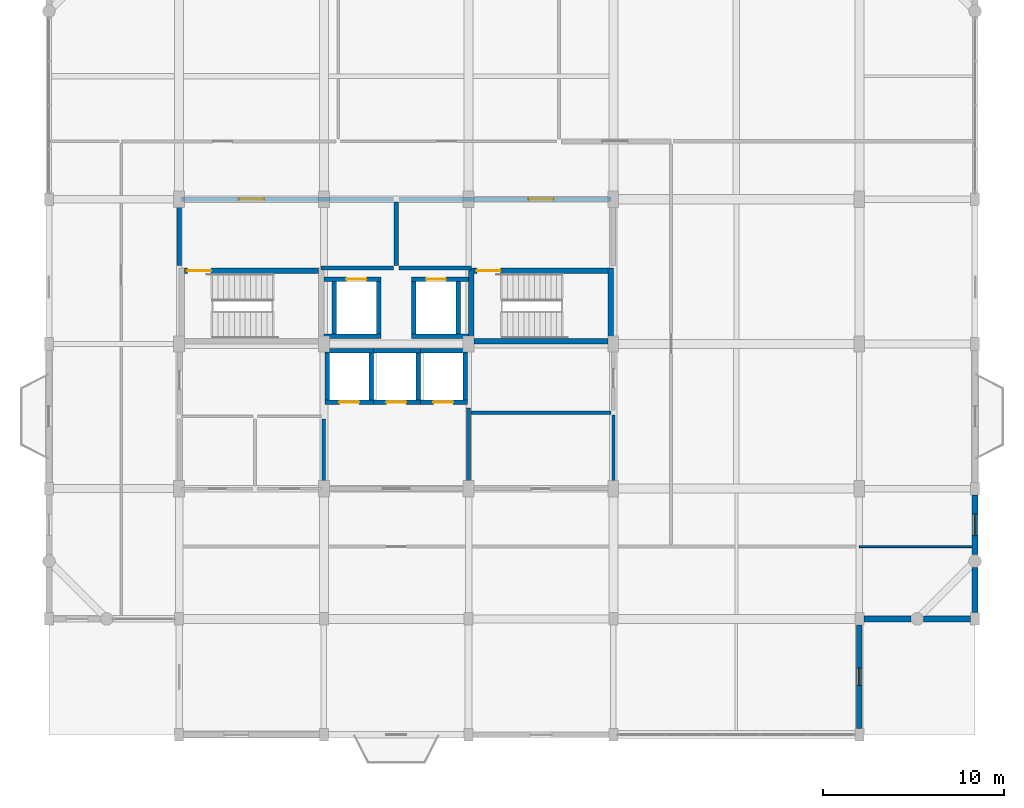
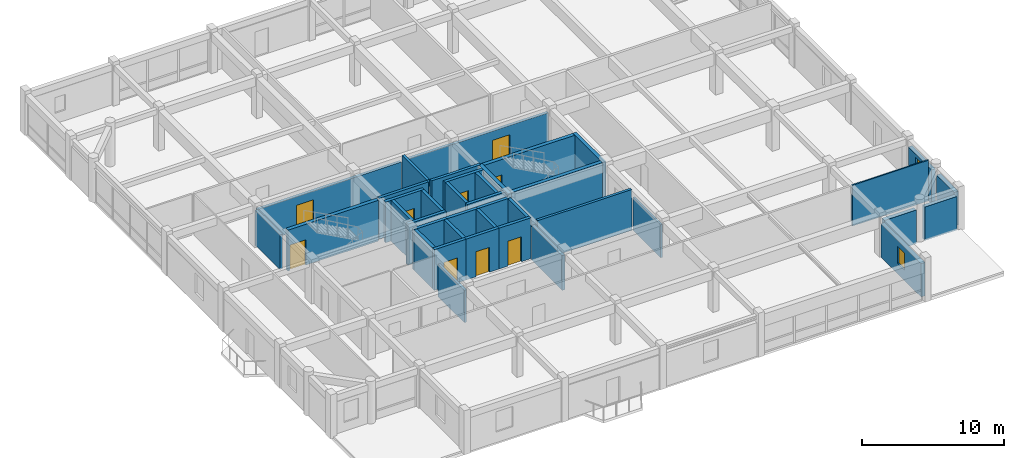
# One storey, part 11 of 14: 39 walls, 9 doors, 2 windows, 11 openings.
"""IFC4 building model written with IfcOpenShell, lengths in metres."""

from ifc_helpers import new_model, si_unit, direction, frame, frame_2d, origin, place, context, subcontext, project, spatial, rectangle, extrude, material, layer, layer_set, type_object, element, fill, save


model = new_model("IFC4")

# Units and contexts
model_context = context("Model", 3, precision=1e-05, world=origin(), true_north=direction((0.0, 1.0)))
body_context = subcontext(model_context, "Body", "Model", "MODEL_VIEW")
ifc_project = project(units=[si_unit("LENGTHUNIT", "METRE"), si_unit("AREAUNIT", "SQUARE_METRE"), si_unit("VOLUMEUNIT", "CUBIC_METRE"), si_unit("PLANEANGLEUNIT", "RADIAN"), si_unit("MASSUNIT", "GRAM", prefix="KILO")], contexts=[model_context])

# Site, building, storey
site_placement = place(None, origin())
site = spatial("IfcSite", under=ifc_project, at=site_placement, CompositionType="ELEMENT")
building_placement = place(site_placement, origin())
building = spatial("IfcBuilding", under=site, at=building_placement, Name="Vellmiral Cinema and Media Centre", CompositionType="ELEMENT")
storey_placement = place(building_placement, frame((0.0, 0.0, 47.10009765625)))
storey = spatial("IfcBuildingStorey", under=building, at=storey_placement, Name="L11", CompositionType="ELEMENT", Elevation=47.10009765625)

# Wall
ifc_material_1 = material(Name="Concrete C40/50", Category="concrete")
ifc_layer_1 = layer(ifc_material_1, 0.2099609375, Name="Concrete C40/50")
ifc_layer_set_1 = layer_set([ifc_layer_1], Name="Concrete C40/50")
wall_type_1 = type_object("IfcWallType", Name="WL-COMP-210", PredefinedType="SOLIDWALL", material=ifc_layer_set_1)
wall_1_placement = place(storey_placement, frame((140.139892578125, 83.39990234375, 0.0), z_axis=(0.0, 0.0, 1.0), x_axis=(1.0, 0.0, 0.0)))
element("IfcWall", 1, at=wall_1_placement, inside=storey, type_object=wall_type_1, Name="Mechanical Smoke Riser Room Wall S", PredefinedType="SOLIDWALL", context=body_context, shape_type="SweptSolid", body=[
    extrude(rectangle(XDim=7.72021484375, YDim=0.2099609375, at=frame_2d((3.860107421875, 0.0))), origin(), (0.0, 0.0, 1.0), 3.52001953125),
])

# Wall, opening, door
ifc_material_2 = material(Name="Concrete C40/50", Category="concrete")
ifc_layer_2 = layer(ifc_material_2, 0.300048828125, Name="Concrete C40/50")
ifc_layer_set_2 = layer_set([ifc_layer_2], Name="Concrete C40/50")
wall_type_2 = type_object("IfcWallType", Name="WL-CORE-300", PredefinedType="SHEAR", material=ifc_layer_set_2)
wall_2_placement = place(storey_placement, frame((124.300048828125, 91.25, 0.0), z_axis=(0.0, 0.0, 1.0), x_axis=(1.0, 0.0, 0.0)))
wall_2 = element("IfcWall", 2, at=wall_2_placement, inside=storey, type_object=wall_type_2, Name="Stair Core Wall ST-T1 L11-N", PredefinedType="SHEAR", context=body_context, shape_type="SweptSolid", body=[
    extrude(rectangle(XDim=7.39990234375, YDim=0.300048828125, at=frame_2d((3.699951171875, 0.0))), origin(), (0.0, 0.0, 1.0), 3.52001953125),
])
opening_1_placement = place(wall_2_placement, frame((0.159912109375, 0.0, 0.0)))
opening_1 = element("IfcOpeningElement", 3, at=opening_1_placement, cuts=wall_2, Name="Opening D-FD30A", PredefinedType="OPENING", context=body_context, shape_type="SweptSolid", body=[
    extrude(rectangle(XDim=1.300048828125, YDim=2.179931640625, at=frame_2d((0.64990234375, 1.08984375))), frame((0.0, 0.162109375, 0.0), z_axis=(0.0, -1.0, 0.0), x_axis=(1.0, 0.0, 0.0)), (0.0, 0.0, 1.0), 0.323974609375),
])
ifc_material_3 = material(Name="Steel Stair Fire Door", Category="steel")
door_type_1 = type_object("IfcDoorType", Name="DR-FD30-1300x2180", OperationType="NOTDEFINED", PredefinedType="DOOR", material=ifc_material_3)
door_1_placement = place(opening_1_placement, frame((1.300048828125, 0.0, 0.0), z_axis=(0.0, 0.0, 1.0), x_axis=(-1.0, 0.0, 0.0)))
door_1 = element("IfcDoor", 4, at=door_1_placement, inside=storey, type_object=door_type_1, Name="Protected Stair Door ST-T1 L11", OperationType="SINGLE_SWING_RIGHT", OverallHeight=2.179931640625, OverallWidth=1.300048828125, PredefinedType="DOOR", context=body_context, shape_type="SweptSolid", body=[
    extrude(rectangle(XDim=1.300048828125, YDim=2.179931640625, at=frame_2d((0.64990234375, 1.08984375))), frame((0.0, 0.02490234375, 0.0), z_axis=(0.0, -1.0, 0.0), x_axis=(1.0, 0.0, 0.0)), (0.0, 0.0, 1.0), 0.050048828125),
])
fill(opening_1, door_1)

# Walls
for number, where, z_axis, x_axis, name in (
    (5, (140.14990234375, 87.199951171875, 0.0), (0.0, 0.0, 1.0), (0.0, 1.0, 0.0), "Stair Core Wall ST-T2 L11-W"),
    (6, (147.85009765625, 87.199951171875, 0.0), (0.0, 0.0, 1.0), (0.0, 1.0, 0.0), "Stair Core Wall ST-T2 L11-E"),
):
    element("IfcWall", number, at=place(storey_placement, frame(where, z_axis=z_axis, x_axis=x_axis)), inside=storey, type_object=wall_type_2, Name=name, PredefinedType="SHEAR", context=body_context, shape_type="SweptSolid", body=[
        extrude(rectangle(XDim=4.199951171875, YDim=0.300048828125, at=frame_2d((2.10009765625, 0.0))), origin(), (0.0, 0.0, 1.0), 3.52001953125),
    ])
wall_3_placement = place(storey_placement, frame((140.300048828125, 87.35009765625, 0.0), z_axis=(0.0, 0.0, 1.0), x_axis=(1.0, 0.0, 0.0)))
element("IfcWall", 7, at=wall_3_placement, inside=storey, type_object=wall_type_2, Name="Stair Core Wall ST-T2 L11-S", PredefinedType="SHEAR", context=body_context, shape_type="SweptSolid", body=[
    extrude(rectangle(XDim=7.39990234375, YDim=0.300048828125, at=frame_2d((3.699951171875, 0.0))), origin(), (0.0, 0.0, 1.0), 3.52001953125),
])

# Wall, opening, door
wall_4_placement = place(storey_placement, frame((140.300048828125, 91.25, 0.0), z_axis=(0.0, 0.0, 1.0), x_axis=(1.0, 0.0, 0.0)))
wall_4 = element("IfcWall", 8, at=wall_4_placement, inside=storey, type_object=wall_type_2, Name="Stair Core Wall ST-T2 L11-N", PredefinedType="SHEAR", context=body_context, shape_type="SweptSolid", body=[
    extrude(rectangle(XDim=7.39990234375, YDim=0.300048828125, at=frame_2d((3.699951171875, 0.0))), origin(), (0.0, 0.0, 1.0), 3.52001953125),
])
opening_2_placement = place(wall_4_placement, frame((0.159912109375, 0.0, 0.0)))
opening_2 = element("IfcOpeningElement", 9, at=opening_2_placement, cuts=wall_4, Name="Opening D-FD30A", PredefinedType="OPENING", context=body_context, shape_type="SweptSolid", body=[
    extrude(rectangle(XDim=1.300048828125, YDim=2.179931640625, at=frame_2d((0.64990234375, 1.08984375))), frame((0.0, 0.162109375, 0.0), z_axis=(0.0, -1.0, 0.0), x_axis=(1.0, 0.0, 0.0)), (0.0, 0.0, 1.0), 0.323974609375),
])
door_2_placement = place(opening_2_placement, frame((1.300048828125, 0.0, 0.0), z_axis=(0.0, 0.0, 1.0), x_axis=(-1.0, 0.0, 0.0)))
door_2 = element("IfcDoor", 10, at=door_2_placement, inside=storey, type_object=door_type_1, Name="Protected Stair Door ST-T2 L11", OperationType="SINGLE_SWING_RIGHT", OverallHeight=2.179931640625, OverallWidth=1.300048828125, PredefinedType="DOOR", context=body_context, shape_type="SweptSolid", body=[
    extrude(rectangle(XDim=1.300048828125, YDim=2.179931640625, at=frame_2d((0.64990234375, 1.08984375))), frame((0.0, 0.02490234375, 0.0), z_axis=(0.0, -1.0, 0.0), x_axis=(1.0, 0.0, 0.0)), (0.0, 0.0, 1.0), 0.050048828125),
])
fill(opening_2, door_2)

# Wall, opening, window
ifc_material_4 = material(Name="Polychrome Glazed Ceramic Cladding", Category="masonry")
ifc_layer_3 = layer(ifc_material_4, 0.320068359375, Name="Polychrome Glazed Ceramic Cladding")
ifc_layer_set_3 = layer_set([ifc_layer_3], Name="Polychrome Glazed Ceramic Cladding")
wall_type_3 = type_object("IfcWallType", Name="WL-EXT-BRICK-320", PredefinedType="SOLIDWALL", material=ifc_layer_set_3)
wall_5_placement = place(storey_placement, frame((161.60009765625, 65.949951171875, 0.0), z_axis=(0.0, 0.0, 1.0), x_axis=(0.0, 1.0, 0.0)))
wall_5 = element("IfcWall", 11, at=wall_5_placement, inside=storey, type_object=wall_type_3, Name="Exterior Facade Wall L11-005", PredefinedType="SOLIDWALL", context=body_context, shape_type="SweptSolid", body=[
    extrude(rectangle(XDim=5.699951171875, YDim=0.320068359375, at=frame_2d((2.85009765625, 0.0))), origin(), (0.0, 0.0, 1.0), 2.885009765625),
])
opening_3_placement = place(wall_5_placement, frame((2.375, 0.0, 0.89990234375)))
opening_3 = element("IfcOpeningElement", 12, at=opening_3_placement, cuts=wall_5, Name="Opening WN-12", PredefinedType="OPENING", context=body_context, shape_type="SweptSolid", body=[
    extrude(rectangle(XDim=0.949951171875, YDim=1.449951171875, at=frame_2d((0.47509765625, 0.72509765625))), frame((0.0, 0.171875, 0.0), z_axis=(0.0, -1.0, 0.0), x_axis=(1.0, 0.0, 0.0)), (0.0, 0.0, 1.0), 0.343994140625),
])
ifc_material_5 = material(Name="Thermally Broken Aluminium Triple Glazing", Category="aluminium")
window_type_1 = type_object("IfcWindowType", Name="WN-0950x1450", PartitioningType="SINGLE_PANEL", PredefinedType="WINDOW", material=ifc_material_5)
window_1_placement = place(opening_3_placement, origin())
window_1 = element("IfcWindow", 13, at=window_1_placement, inside=storey, type_object=window_type_1, Name="Window L11-005", OverallHeight=1.449951171875, OverallWidth=0.949951171875, PartitioningType="SINGLE_PANEL", PredefinedType="WINDOW", context=body_context, shape_type="SweptSolid", body=[
    extrude(rectangle(XDim=0.949951171875, YDim=1.449951171875, at=frame_2d((0.47509765625, 0.72509765625))), frame((0.0, 0.030029296875, 0.0), z_axis=(0.0, -1.0, 0.0), x_axis=(1.0, 0.0, 0.0)), (0.0, 0.0, 1.0), 0.06005859375),
])
fill(opening_3, window_1)

# Wall
wall_6_placement = place(storey_placement, frame((165.14990234375, 72.0, 0.0), z_axis=(0.0, 0.0, 1.0), x_axis=(1.0, 0.0, 0.0)))
element("IfcWall", 14, at=wall_6_placement, inside=storey, type_object=wall_type_3, Name="Exterior Facade Wall L11-007", PredefinedType="SOLIDWALL", context=body_context, shape_type="SweptSolid", body=[
    extrude(rectangle(XDim=2.60009765625, YDim=0.320068359375, at=frame_2d((1.300048828125, 0.0))), origin(), (0.0, 0.0, 1.0), 2.89990234375),
])

# Wall, opening, window
wall_7_placement = place(storey_placement, frame((168.0, 75.550048828125, 0.0), z_axis=(0.0, 0.0, 1.0), x_axis=(0.0, 1.0, 0.0)))
wall_7 = element("IfcWall", 15, at=wall_7_placement, inside=storey, type_object=wall_type_3, Name="Exterior Facade Wall L11-009", PredefinedType="SOLIDWALL", context=body_context, shape_type="SweptSolid", body=[
    extrude(rectangle(XDim=3.300048828125, YDim=0.320068359375, at=frame_2d((1.64990234375, 0.0))), origin(), (0.0, 0.0, 1.0), 2.89990234375),
])
opening_4_placement = place(wall_7_placement, frame((1.050048828125, 0.0, 0.89990234375)))
opening_4 = element("IfcOpeningElement", 16, at=opening_4_placement, cuts=wall_7, Name="Opening WN-10", PredefinedType="OPENING", context=body_context, shape_type="SweptSolid", body=[
    extrude(rectangle(XDim=1.199951171875, YDim=1.699951171875, at=frame_2d((0.60009765625, 0.85009765625))), frame((0.0, 0.171875, 0.0), z_axis=(0.0, -1.0, 0.0), x_axis=(1.0, 0.0, 0.0)), (0.0, 0.0, 1.0), 0.343994140625),
])
ifc_material_6 = material(Name="Thermally Broken Aluminium Triple Glazing", Category="aluminium")
window_type_2 = type_object("IfcWindowType", Name="WN-1200x1700", PartitioningType="SINGLE_PANEL", PredefinedType="WINDOW", material=ifc_material_6)
window_2_placement = place(opening_4_placement, origin())
window_2 = element("IfcWindow", 17, at=window_2_placement, inside=storey, type_object=window_type_2, Name="Window L11-009", OverallHeight=1.699951171875, OverallWidth=1.199951171875, PartitioningType="SINGLE_PANEL", PredefinedType="WINDOW", context=body_context, shape_type="SweptSolid", body=[
    extrude(rectangle(XDim=1.199951171875, YDim=1.699951171875, at=frame_2d((0.60009765625, 0.85009765625))), frame((0.0, 0.030029296875, 0.0), z_axis=(0.0, -1.0, 0.0), x_axis=(1.0, 0.0, 0.0)), (0.0, 0.0, 1.0), 0.06005859375),
])
fill(opening_4, window_2)

# Walls
ifc_material_7 = material(Name="Vosges Red Sandstone Masonry", Category="masonry")
ifc_layer_4 = layer(ifc_material_7, 0.340087890625, Name="Vosges Red Sandstone Masonry")
ifc_layer_set_4 = layer_set([ifc_layer_4], Name="Vosges Red Sandstone Masonry")
wall_type_4 = type_object("IfcWallType", Name="WL-EXT-SAND-340", PredefinedType="SOLIDWALL", material=ifc_layer_set_4)
wall_8_placement = place(storey_placement, frame((161.85009765625, 72.0, 0.0), z_axis=(0.0, 0.0, 1.0), x_axis=(1.0, 0.0, 0.0)))
element("IfcWall", 18, at=wall_8_placement, inside=storey, type_object=wall_type_4, Name="Exterior Facade Wall L11-006", PredefinedType="SOLIDWALL", context=body_context, shape_type="SweptSolid", body=[
    extrude(rectangle(XDim=2.599853515625, YDim=0.340087890625, at=frame_2d((1.2998046875, 0.0))), origin(), (0.0, 0.0, 1.0), 2.89990234375),
])
wall_9_placement = place(storey_placement, frame((168.0, 72.35009765625, 0.0), z_axis=(0.0, 0.0, 1.0), x_axis=(0.0, 1.0, 0.0)))
element("IfcWall", 19, at=wall_9_placement, inside=storey, type_object=wall_type_4, Name="Exterior Facade Wall L11-008", PredefinedType="SOLIDWALL", context=body_context, shape_type="SweptSolid", body=[
    extrude(rectangle(XDim=2.5, YDim=0.340087890625, at=frame_2d((1.25, 0.0))), origin(), (0.0, 0.0, 1.0), 2.89990234375),
])
ifc_material_8 = material(Name="Concrete C40/50", Category="concrete")
ifc_layer_5 = layer(ifc_material_8, 0.22998046875, Name="Concrete C40/50")
ifc_layer_set_5 = layer_set([ifc_layer_5], Name="Concrete C40/50")
wall_type_5 = type_object("IfcWallType", Name="WL-FFL-230", PredefinedType="SOLIDWALL", material=ifc_layer_set_5)
wall_10_placement = place(storey_placement, frame((131.840087890625, 91.39990234375, 0.0), z_axis=(0.0, 0.0, 1.0), x_axis=(1.0, 0.0, 0.0)))
element("IfcWall", 20, at=wall_10_placement, inside=storey, type_object=wall_type_5, Name="Firefighting Lobby West Wall S", PredefinedType="SOLIDWALL", context=body_context, shape_type="SweptSolid", body=[
    extrude(rectangle(XDim=4.02001953125, YDim=0.22998046875, at=frame_2d((2.010009765625, 0.0))), origin(), (0.0, 0.0, 1.0), 3.52001953125),
])

# Wall, opening, door
wall_11_placement = place(storey_placement, frame((124.139892578125, 95.199951171875, 0.0), z_axis=(0.0, 0.0, 1.0), x_axis=(1.0, 0.0, 0.0)))
wall_11 = element("IfcWall", 21, at=wall_11_placement, inside=storey, type_object=wall_type_5, Name="Firefighting Lobby West Wall N", PredefinedType="SOLIDWALL", context=body_context, shape_type="SweptSolid", body=[
    extrude(rectangle(XDim=11.72021484375, YDim=0.22998046875, at=frame_2d((5.860107421875, 0.0))), origin(), (0.0, 0.0, 1.0), 2.94482421875),
])
opening_5_placement = place(wall_11_placement, frame((3.159912109375, 0.0, 0.0)))
opening_5 = element("IfcOpeningElement", 22, at=opening_5_placement, cuts=wall_11, Name="Opening D-FD60B", PredefinedType="OPENING", context=body_context, shape_type="SweptSolid", body=[
    extrude(rectangle(XDim=1.39990234375, YDim=2.199951171875, at=frame_2d((0.699951171875, 1.10009765625))), frame((0.0, 0.126953125, 0.0), z_axis=(0.0, -1.0, 0.0), x_axis=(1.0, 0.0, 0.0)), (0.0, 0.0, 1.0), 0.25390625),
])
ifc_material_9 = material(Name="Steel Fire Door", Category="steel")
door_type_2 = type_object("IfcDoorType", Name="DR-FD60-1400x2200", OperationType="NOTDEFINED", PredefinedType="DOOR", material=ifc_material_9)
door_3_placement = place(opening_5_placement, frame((1.39990234375, 0.0, 0.0), z_axis=(0.0, 0.0, 1.0), x_axis=(-1.0, 0.0, 0.0)))
door_3 = element("IfcDoor", 23, at=door_3_placement, inside=storey, type_object=door_type_2, Name="Firefighting Lobby West Door", OperationType="SINGLE_SWING_RIGHT", OverallHeight=2.199951171875, OverallWidth=1.39990234375, PredefinedType="DOOR", context=body_context, shape_type="SweptSolid", body=[
    extrude(rectangle(XDim=1.39990234375, YDim=2.199951171875, at=frame_2d((0.699951171875, 1.10009765625))), frame((0.0, 0.02490234375, 0.0), z_axis=(0.0, -1.0, 0.0), x_axis=(1.0, 0.0, 0.0)), (0.0, 0.0, 1.0), 0.050048828125),
])
fill(opening_5, door_3)

# Walls
wall_12_placement = place(storey_placement, frame((124.0, 91.5400390625, 0.0), z_axis=(0.0, 0.0, 1.0), x_axis=(0.0, 1.0, 0.0)))
element("IfcWall", 24, at=wall_12_placement, inside=storey, type_object=wall_type_5, Name="Firefighting Lobby West Wall W", PredefinedType="SOLIDWALL", context=body_context, shape_type="SweptSolid", body=[
    extrude(rectangle(XDim=3.52001953125, YDim=0.22998046875, at=frame_2d((1.760009765625, 0.0))), origin(), (0.0, 0.0, 1.0), 2.994873046875),
])
wall_13_placement = place(storey_placement, frame((136.0, 91.5400390625, 0.0), z_axis=(0.0, 0.0, 1.0), x_axis=(0.0, 1.0, 0.0)))
element("IfcWall", 25, at=wall_13_placement, inside=storey, type_object=wall_type_5, Name="Firefighting Lobby West Wall E", PredefinedType="SOLIDWALL", context=body_context, shape_type="SweptSolid", body=[
    extrude(rectangle(XDim=3.52001953125, YDim=0.22998046875, at=frame_2d((1.760009765625, 0.0))), origin(), (0.0, 0.0, 1.0), 3.52001953125),
])
wall_14_placement = place(storey_placement, frame((136.139892578125, 91.39990234375, 0.0), z_axis=(0.0, 0.0, 1.0), x_axis=(1.0, 0.0, 0.0)))
element("IfcWall", 26, at=wall_14_placement, inside=storey, type_object=wall_type_5, Name="Firefighting Lobby East Wall S", PredefinedType="SOLIDWALL", context=body_context, shape_type="SweptSolid", body=[
    extrude(rectangle(XDim=4.02001953125, YDim=0.22998046875, at=frame_2d((2.010009765625, 0.0))), origin(), (0.0, 0.0, 1.0), 3.52001953125),
])

# Wall, opening, door
wall_15_placement = place(storey_placement, frame((136.139892578125, 95.199951171875, 0.0), z_axis=(0.0, 0.0, 1.0), x_axis=(1.0, 0.0, 0.0)))
wall_15 = element("IfcWall", 27, at=wall_15_placement, inside=storey, type_object=wall_type_5, Name="Firefighting Lobby East Wall N", PredefinedType="SOLIDWALL", context=body_context, shape_type="SweptSolid", body=[
    extrude(rectangle(XDim=11.72021484375, YDim=0.22998046875, at=frame_2d((5.860107421875, 0.0))), origin(), (0.0, 0.0, 1.0), 2.994873046875),
])
opening_6_placement = place(wall_15_placement, frame((7.159912109375, 0.0, 0.0)))
opening_6 = element("IfcOpeningElement", 28, at=opening_6_placement, cuts=wall_15, Name="Opening D-FD60B", PredefinedType="OPENING", context=body_context, shape_type="SweptSolid", body=[
    extrude(rectangle(XDim=1.39990234375, YDim=2.199951171875, at=frame_2d((0.699951171875, 1.10009765625))), frame((0.0, 0.126953125, 0.0), z_axis=(0.0, -1.0, 0.0), x_axis=(1.0, 0.0, 0.0)), (0.0, 0.0, 1.0), 0.25390625),
])
door_4_placement = place(opening_6_placement, frame((1.39990234375, 0.0, 0.0), z_axis=(0.0, 0.0, 1.0), x_axis=(-1.0, 0.0, 0.0)))
door_4 = element("IfcDoor", 29, at=door_4_placement, inside=storey, type_object=door_type_2, Name="Firefighting Lobby East Door", OperationType="SINGLE_SWING_LEFT", OverallHeight=2.199951171875, OverallWidth=1.39990234375, PredefinedType="DOOR", context=body_context, shape_type="SweptSolid", body=[
    extrude(rectangle(XDim=1.39990234375, YDim=2.199951171875, at=frame_2d((0.699951171875, 1.10009765625))), frame((0.0, 0.02490234375, 0.0), z_axis=(0.0, -1.0, 0.0), x_axis=(1.0, 0.0, 0.0)), (0.0, 0.0, 1.0), 0.050048828125),
])
fill(opening_6, door_4)

# Walls
wall_16_placement = place(storey_placement, frame((140.0, 79.340087890625, 0.0), z_axis=(0.0, 0.0, 1.0), x_axis=(0.0, 1.0, 0.0)))
element("IfcWall", 30, at=wall_16_placement, inside=storey, type_object=wall_type_5, Name="Tower Passenger Lift Lobby Wall E", PredefinedType="SOLIDWALL", context=body_context, shape_type="SweptSolid", body=[
    extrude(rectangle(XDim=4.31982421875, YDim=0.22998046875, at=frame_2d((2.159912109375, 0.0))), origin(), (0.0, 0.0, 1.0), 2.994873046875),
])
ifc_material_10 = material(Name="Gypsum Plasterboard")
ifc_layer_6 = layer(ifc_material_10, 0.02490234375, Name="Gypsum Plasterboard", Category="gypsum")
ifc_material_11 = material(Name="Mineral Wool Acoustic Insulation", Category="insulation")
ifc_layer_7 = layer(ifc_material_11, 0.06005859375, Name="Mineral Wool Acoustic Insulation", Category="insulation")
ifc_layer_8 = layer(ifc_material_10, 0.02490234375, Name="Gypsum Plasterboard", Category="gypsum")
ifc_layer_set_6 = layer_set([ifc_layer_6, ifc_layer_7, ifc_layer_8], Name="Gypsum Plasterboard")
wall_type_6 = type_object("IfcWallType", Name="WL-PART-110", PredefinedType="PARTITIONING", material=ifc_layer_set_6)
wall_17_placement = place(storey_placement, frame((161.60009765625, 76.0, 0.0), z_axis=(0.0, 0.0, 1.0), x_axis=(1.0, 0.0, 0.0)))
element("IfcWall", 31, at=wall_17_placement, inside=storey, type_object=wall_type_6, Name="East Media Quality Assurance Lab Wall S", PredefinedType="PARTITIONING", context=body_context, shape_type="SweptSolid", body=[
    extrude(rectangle(XDim=6.224853515625, YDim=0.110107421875, at=frame_2d((3.1123046875, 0.0))), origin(), (0.0, 0.0, 1.0), 3.52001953125),
])
ifc_material_12 = material(Name="Gypsum Plasterboard")
ifc_layer_9 = layer(ifc_material_12, 0.02490234375, Name="Gypsum Plasterboard", Category="gypsum")
ifc_material_13 = material(Name="Mineral Wool Acoustic Insulation", Category="insulation")
ifc_layer_10 = layer(ifc_material_13, 0.1201171875, Name="Mineral Wool Acoustic Insulation", Category="insulation")
ifc_layer_11 = layer(ifc_material_12, 0.02490234375, Name="Gypsum Plasterboard", Category="gypsum")
ifc_layer_set_7 = layer_set([ifc_layer_9, ifc_layer_10, ifc_layer_11], Name="Gypsum Plasterboard")
wall_type_7 = type_object("IfcWallType", Name="WL-PART-170", PredefinedType="PARTITIONING", material=ifc_layer_set_7)
wall_18_placement = place(storey_placement, frame((148.0, 79.340087890625, 0.0), z_axis=(0.0, 0.0, 1.0), x_axis=(0.0, 1.0, 0.0)))
element("IfcWall", 32, at=wall_18_placement, inside=storey, type_object=wall_type_7, Name="Cleaner and Media Supply Store Wall E", PredefinedType="PARTITIONING", context=body_context, shape_type="SweptSolid", body=[
    extrude(rectangle(XDim=3.919921875, YDim=0.169921875, at=frame_2d((1.9599609375, 0.0))), origin(), (0.0, 0.0, 1.0), 2.844970703125),
])
ifc_material_14 = material(Name="Gypsum Plasterboard")
ifc_layer_12 = layer(ifc_material_14, 0.02490234375, Name="Gypsum Plasterboard", Category="gypsum")
ifc_material_15 = material(Name="Mineral Wool Acoustic Insulation", Category="insulation")
ifc_layer_13 = layer(ifc_material_15, 0.139892578125, Name="Mineral Wool Acoustic Insulation", Category="insulation")
ifc_layer_14 = layer(ifc_material_14, 0.02490234375, Name="Gypsum Plasterboard", Category="gypsum")
ifc_layer_set_8 = layer_set([ifc_layer_12, ifc_layer_13, ifc_layer_14], Name="Gypsum Plasterboard")
wall_type_8 = type_object("IfcWallType", Name="WL-PART-190", PredefinedType="PARTITIONING", material=ifc_layer_set_8)
wall_19_placement = place(storey_placement, frame((132.0, 79.340087890625, 0.0), z_axis=(0.0, 0.0, 1.0), x_axis=(0.0, 1.0, 0.0)))
element("IfcWall", 33, at=wall_19_placement, inside=storey, type_object=wall_type_8, Name="Accessible WC Wall E", PredefinedType="PARTITIONING", context=body_context, shape_type="SweptSolid", body=[
    extrude(rectangle(XDim=3.719970703125, YDim=0.18994140625, at=frame_2d((1.85986328125, 0.0))), origin(), (0.0, 0.0, 1.0), 2.794921875),
])
ifc_material_16 = material(Name="Concrete C40/50", Category="concrete")
ifc_layer_15 = layer(ifc_material_16, 0.25, Name="Concrete C40/50")
ifc_layer_set_9 = layer_set([ifc_layer_15], Name="Concrete C40/50")
wall_type_9 = type_object("IfcWallType", Name="WL-SHAFT-250", PredefinedType="SHEAR", material=ifc_layer_set_9)
wall_20_placement = place(storey_placement, frame((132.0, 87.625, 0.0), z_axis=(0.0, 0.0, 1.0), x_axis=(1.0, 0.0, 0.0)))
element("IfcWall", 34, at=wall_20_placement, inside=storey, type_object=wall_type_9, Name="Lift Shaft Wall LF-FF1 L11-S", PredefinedType="SHEAR", context=body_context, shape_type="SweptSolid", body=[
    extrude(rectangle(XDim=3.14990234375, YDim=0.25, at=frame_2d((1.574951171875, 0.0))), origin(), (0.0, 0.0, 1.0), 3.52001953125),
])

# Wall, opening, door
wall_21_placement = place(storey_placement, frame((132.0, 90.77490234375, 0.0), z_axis=(0.0, 0.0, 1.0), x_axis=(1.0, 0.0, 0.0)))
wall_21 = element("IfcWall", 35, at=wall_21_placement, inside=storey, type_object=wall_type_9, Name="Lift Shaft Wall LF-FF1 L11-N", PredefinedType="SHEAR", context=body_context, shape_type="SweptSolid", body=[
    extrude(rectangle(XDim=3.14990234375, YDim=0.25, at=frame_2d((1.574951171875, 0.0))), origin(), (0.0, 0.0, 1.0), 3.52001953125),
])
opening_7_placement = place(wall_21_placement, frame((1.25, 0.0, 0.0)))
opening_7 = element("IfcOpeningElement", 36, at=opening_7_placement, cuts=wall_21, Name="Opening LD-01", PredefinedType="OPENING", context=body_context, shape_type="SweptSolid", body=[
    extrude(rectangle(XDim=1.10009765625, YDim=2.14990234375, at=frame_2d((0.550048828125, 1.074951171875))), frame((0.0, 0.136962890625, 0.0), z_axis=(0.0, -1.0, 0.0), x_axis=(1.0, 0.0, 0.0)), (0.0, 0.0, 1.0), 0.27392578125),
])
ifc_material_17 = material(Name="Stainless Steel Lift Landing Door", Category="steel")
door_type_3 = type_object("IfcDoorType", Name="DR-LIFT-1100x2150", OperationType="SLIDING_TO_LEFT", PredefinedType="DOOR", material=ifc_material_17)
door_5_placement = place(opening_7_placement, origin())
door_5 = element("IfcDoor", 37, at=door_5_placement, inside=storey, type_object=door_type_3, Name="Lift Landing Door LF-FF1 L11", OperationType="SLIDING_TO_LEFT", OverallHeight=2.14990234375, OverallWidth=1.10009765625, PredefinedType="DOOR", context=body_context, shape_type="SweptSolid", body=[
    extrude(rectangle(XDim=1.10009765625, YDim=2.14990234375, at=frame_2d((0.550048828125, 1.074951171875))), frame((0.0, 0.02490234375, 0.0), z_axis=(0.0, -1.0, 0.0), x_axis=(1.0, 0.0, 0.0)), (0.0, 0.0, 1.0), 0.050048828125),
])
fill(opening_7, door_5)

# Walls
for number, where, z_axis, x_axis, name in (
    (38, (132.574951171875, 87.75, 0.0), (0.0, 0.0, 1.0), (0.0, 1.0, 0.0), "Lift Shaft Wall LF-FF1 L11-W"),
    (39, (135.02490234375, 87.75, 0.0), (0.0, 0.0, 1.0), (0.0, 1.0, 0.0), "Lift Shaft Wall LF-FF1 L11-E"),
):
    element("IfcWall", number, at=place(storey_placement, frame(where, z_axis=z_axis, x_axis=x_axis)), inside=storey, type_object=wall_type_9, Name=name, PredefinedType="SHEAR", context=body_context, shape_type="SweptSolid", body=[
        extrude(rectangle(XDim=2.89990234375, YDim=0.25, at=frame_2d((1.449951171875, 0.0))), origin(), (0.0, 0.0, 1.0), 3.52001953125),
    ])
wall_22_placement = place(storey_placement, frame((136.85009765625, 87.625, 0.0), z_axis=(0.0, 0.0, 1.0), x_axis=(1.0, 0.0, 0.0)))
element("IfcWall", 40, at=wall_22_placement, inside=storey, type_object=wall_type_9, Name="Lift Shaft Wall LF-FF2 L11-S", PredefinedType="SHEAR", context=body_context, shape_type="SweptSolid", body=[
    extrude(rectangle(XDim=3.14990234375, YDim=0.25, at=frame_2d((1.574951171875, 0.0))), origin(), (0.0, 0.0, 1.0), 3.52001953125),
])

# Wall, opening, door
wall_23_placement = place(storey_placement, frame((136.85009765625, 90.77490234375, 0.0), z_axis=(0.0, 0.0, 1.0), x_axis=(1.0, 0.0, 0.0)))
wall_23 = element("IfcWall", 41, at=wall_23_placement, inside=storey, type_object=wall_type_9, Name="Lift Shaft Wall LF-FF2 L11-N", PredefinedType="SHEAR", context=body_context, shape_type="SweptSolid", body=[
    extrude(rectangle(XDim=3.14990234375, YDim=0.25, at=frame_2d((1.574951171875, 0.0))), origin(), (0.0, 0.0, 1.0), 3.52001953125),
])
opening_8_placement = place(wall_23_placement, frame((0.800048828125, 0.0, 0.0)))
opening_8 = element("IfcOpeningElement", 42, at=opening_8_placement, cuts=wall_23, Name="Opening LD-01", PredefinedType="OPENING", context=body_context, shape_type="SweptSolid", body=[
    extrude(rectangle(XDim=1.10009765625, YDim=2.14990234375, at=frame_2d((0.550048828125, 1.074951171875))), frame((0.0, 0.136962890625, 0.0), z_axis=(0.0, -1.0, 0.0), x_axis=(1.0, 0.0, 0.0)), (0.0, 0.0, 1.0), 0.27392578125),
])
door_6_placement = place(opening_8_placement, origin())
door_6 = element("IfcDoor", 43, at=door_6_placement, inside=storey, type_object=door_type_3, Name="Lift Landing Door LF-FF2 L11", OperationType="SLIDING_TO_LEFT", OverallHeight=2.14990234375, OverallWidth=1.10009765625, PredefinedType="DOOR", context=body_context, shape_type="SweptSolid", body=[
    extrude(rectangle(XDim=1.10009765625, YDim=2.14990234375, at=frame_2d((0.550048828125, 1.074951171875))), frame((0.0, 0.02490234375, 0.0), z_axis=(0.0, -1.0, 0.0), x_axis=(1.0, 0.0, 0.0)), (0.0, 0.0, 1.0), 0.050048828125),
])
fill(opening_8, door_6)

# Walls
for number, where, z_axis, x_axis, name in (
    (44, (136.97509765625, 87.75, 0.0), (0.0, 0.0, 1.0), (0.0, 1.0, 0.0), "Lift Shaft Wall LF-FF2 L11-W"),
    (45, (139.425048828125, 87.75, 0.0), (0.0, 0.0, 1.0), (0.0, 1.0, 0.0), "Lift Shaft Wall LF-FF2 L11-E"),
):
    element("IfcWall", number, at=place(storey_placement, frame(where, z_axis=z_axis, x_axis=x_axis)), inside=storey, type_object=wall_type_9, Name=name, PredefinedType="SHEAR", context=body_context, shape_type="SweptSolid", body=[
        extrude(rectangle(XDim=2.89990234375, YDim=0.25, at=frame_2d((1.449951171875, 0.0))), origin(), (0.0, 0.0, 1.0), 3.52001953125),
    ])

# Wall, opening, door
wall_24_placement = place(storey_placement, frame((132.050048828125, 83.97509765625, 0.0), z_axis=(0.0, 0.0, 1.0), x_axis=(1.0, 0.0, 0.0)))
wall_24 = element("IfcWall", 46, at=wall_24_placement, inside=storey, type_object=wall_type_9, Name="Lift Shaft Wall LF-P1 L11-S", PredefinedType="SHEAR", context=body_context, shape_type="SweptSolid", body=[
    extrude(rectangle(XDim=2.699951171875, YDim=0.25, at=frame_2d((1.35009765625, 0.0))), origin(), (0.0, 0.0, 1.0), 3.52001953125),
])
opening_9_placement = place(wall_24_placement, frame((0.800048828125, 0.0, 0.0)))
opening_9 = element("IfcOpeningElement", 47, at=opening_9_placement, cuts=wall_24, Name="Opening LD-01", PredefinedType="OPENING", context=body_context, shape_type="SweptSolid", body=[
    extrude(rectangle(XDim=1.10009765625, YDim=2.14990234375, at=frame_2d((0.550048828125, 1.074951171875))), frame((0.0, 0.136962890625, 0.0), z_axis=(0.0, -1.0, 0.0), x_axis=(1.0, 0.0, 0.0)), (0.0, 0.0, 1.0), 0.27392578125),
])
door_7_placement = place(opening_9_placement, origin())
door_7 = element("IfcDoor", 48, at=door_7_placement, inside=storey, type_object=door_type_3, Name="Lift Landing Door LF-P1 L11", OperationType="SLIDING_TO_LEFT", OverallHeight=2.14990234375, OverallWidth=1.10009765625, PredefinedType="DOOR", context=body_context, shape_type="SweptSolid", body=[
    extrude(rectangle(XDim=1.10009765625, YDim=2.14990234375, at=frame_2d((0.550048828125, 1.074951171875))), frame((0.0, 0.02490234375, 0.0), z_axis=(0.0, -1.0, 0.0), x_axis=(1.0, 0.0, 0.0)), (0.0, 0.0, 1.0), 0.050048828125),
])
fill(opening_9, door_7)

# Walls
wall_25_placement = place(storey_placement, frame((132.050048828125, 86.824951171875, 0.0), z_axis=(0.0, 0.0, 1.0), x_axis=(1.0, 0.0, 0.0)))
element("IfcWall", 49, at=wall_25_placement, inside=storey, type_object=wall_type_9, Name="Lift Shaft Wall LF-P1 L11-N", PredefinedType="SHEAR", context=body_context, shape_type="SweptSolid", body=[
    extrude(rectangle(XDim=2.699951171875, YDim=0.25, at=frame_2d((1.35009765625, 0.0))), origin(), (0.0, 0.0, 1.0), 3.52001953125),
])
for number, where, z_axis, x_axis, name in (
    (50, (132.175048828125, 84.10009765625, 0.0), (0.0, 0.0, 1.0), (0.0, 1.0, 0.0), "Lift Shaft Wall LF-P1 L11-W"),
    (51, (134.625, 84.10009765625, 0.0), (0.0, 0.0, 1.0), (0.0, 1.0, 0.0), "Lift Shaft Wall LF-P1 L11-E"),
):
    element("IfcWall", number, at=place(storey_placement, frame(where, z_axis=z_axis, x_axis=x_axis)), inside=storey, type_object=wall_type_9, Name=name, PredefinedType="SHEAR", context=body_context, shape_type="SweptSolid", body=[
        extrude(rectangle(XDim=2.599853515625, YDim=0.25, at=frame_2d((1.2998046875, 0.0))), origin(), (0.0, 0.0, 1.0), 3.52001953125),
    ])

# Wall, opening, door
wall_26_placement = place(storey_placement, frame((134.64990234375, 83.97509765625, 0.0), z_axis=(0.0, 0.0, 1.0), x_axis=(1.0, 0.0, 0.0)))
wall_26 = element("IfcWall", 52, at=wall_26_placement, inside=storey, type_object=wall_type_9, Name="Lift Shaft Wall LF-P2 L11-S", PredefinedType="SHEAR", context=body_context, shape_type="SweptSolid", body=[
    extrude(rectangle(XDim=2.7001953125, YDim=0.25, at=frame_2d((1.35009765625, 0.0))), origin(), (0.0, 0.0, 1.0), 3.52001953125),
])
opening_10_placement = place(wall_26_placement, frame((0.800048828125, 0.0, 0.0)))
opening_10 = element("IfcOpeningElement", 53, at=opening_10_placement, cuts=wall_26, Name="Opening LD-01", PredefinedType="OPENING", context=body_context, shape_type="SweptSolid", body=[
    extrude(rectangle(XDim=1.10009765625, YDim=2.14990234375, at=frame_2d((0.550048828125, 1.074951171875))), frame((0.0, 0.136962890625, 0.0), z_axis=(0.0, -1.0, 0.0), x_axis=(1.0, 0.0, 0.0)), (0.0, 0.0, 1.0), 0.27392578125),
])
door_8_placement = place(opening_10_placement, origin())
door_8 = element("IfcDoor", 54, at=door_8_placement, inside=storey, type_object=door_type_3, Name="Lift Landing Door LF-P2 L11", OperationType="SLIDING_TO_LEFT", OverallHeight=2.14990234375, OverallWidth=1.10009765625, PredefinedType="DOOR", context=body_context, shape_type="SweptSolid", body=[
    extrude(rectangle(XDim=1.10009765625, YDim=2.14990234375, at=frame_2d((0.550048828125, 1.074951171875))), frame((0.0, 0.02490234375, 0.0), z_axis=(0.0, -1.0, 0.0), x_axis=(1.0, 0.0, 0.0)), (0.0, 0.0, 1.0), 0.050048828125),
])
fill(opening_10, door_8)

# Walls
wall_27_placement = place(storey_placement, frame((134.64990234375, 86.824951171875, 0.0), z_axis=(0.0, 0.0, 1.0), x_axis=(1.0, 0.0, 0.0)))
element("IfcWall", 55, at=wall_27_placement, inside=storey, type_object=wall_type_9, Name="Lift Shaft Wall LF-P2 L11-N", PredefinedType="SHEAR", context=body_context, shape_type="SweptSolid", body=[
    extrude(rectangle(XDim=2.7001953125, YDim=0.25, at=frame_2d((1.35009765625, 0.0))), origin(), (0.0, 0.0, 1.0), 3.52001953125),
])
wall_28_placement = place(storey_placement, frame((137.22509765625, 84.10009765625, 0.0), z_axis=(0.0, 0.0, 1.0), x_axis=(0.0, 1.0, 0.0)))
element("IfcWall", 56, at=wall_28_placement, inside=storey, type_object=wall_type_9, Name="Lift Shaft Wall LF-P2 L11-E", PredefinedType="SHEAR", context=body_context, shape_type="SweptSolid", body=[
    extrude(rectangle(XDim=2.599853515625, YDim=0.25, at=frame_2d((1.2998046875, 0.0))), origin(), (0.0, 0.0, 1.0), 3.52001953125),
])

# Wall, opening, door
wall_29_placement = place(storey_placement, frame((137.25, 83.97509765625, 0.0), z_axis=(0.0, 0.0, 1.0), x_axis=(1.0, 0.0, 0.0)))
wall_29 = element("IfcWall", 57, at=wall_29_placement, inside=storey, type_object=wall_type_9, Name="Lift Shaft Wall LF-P3 L11-S", PredefinedType="SHEAR", context=body_context, shape_type="SweptSolid", body=[
    extrude(rectangle(XDim=2.699951171875, YDim=0.25, at=frame_2d((1.35009765625, 0.0))), origin(), (0.0, 0.0, 1.0), 3.52001953125),
])
opening_11_placement = place(wall_29_placement, frame((0.800048828125, 0.0, 0.0)))
opening_11 = element("IfcOpeningElement", 58, at=opening_11_placement, cuts=wall_29, Name="Opening LD-01", PredefinedType="OPENING", context=body_context, shape_type="SweptSolid", body=[
    extrude(rectangle(XDim=1.10009765625, YDim=2.14990234375, at=frame_2d((0.550048828125, 1.074951171875))), frame((0.0, 0.136962890625, 0.0), z_axis=(0.0, -1.0, 0.0), x_axis=(1.0, 0.0, 0.0)), (0.0, 0.0, 1.0), 0.27392578125),
])
door_9_placement = place(opening_11_placement, origin())
door_9 = element("IfcDoor", 59, at=door_9_placement, inside=storey, type_object=door_type_3, Name="Lift Landing Door LF-P3 L11", OperationType="SLIDING_TO_LEFT", OverallHeight=2.14990234375, OverallWidth=1.10009765625, PredefinedType="DOOR", context=body_context, shape_type="SweptSolid", body=[
    extrude(rectangle(XDim=1.10009765625, YDim=2.14990234375, at=frame_2d((0.550048828125, 1.074951171875))), frame((0.0, 0.02490234375, 0.0), z_axis=(0.0, -1.0, 0.0), x_axis=(1.0, 0.0, 0.0)), (0.0, 0.0, 1.0), 0.050048828125),
])
fill(opening_11, door_9)

# Walls
wall_30_placement = place(storey_placement, frame((137.25, 86.824951171875, 0.0), z_axis=(0.0, 0.0, 1.0), x_axis=(1.0, 0.0, 0.0)))
element("IfcWall", 60, at=wall_30_placement, inside=storey, type_object=wall_type_9, Name="Lift Shaft Wall LF-P3 L11-N", PredefinedType="SHEAR", context=body_context, shape_type="SweptSolid", body=[
    extrude(rectangle(XDim=2.699951171875, YDim=0.25, at=frame_2d((1.35009765625, 0.0))), origin(), (0.0, 0.0, 1.0), 3.52001953125),
])
wall_31_placement = place(storey_placement, frame((139.824951171875, 84.10009765625, 0.0), z_axis=(0.0, 0.0, 1.0), x_axis=(0.0, 1.0, 0.0)))
element("IfcWall", 61, at=wall_31_placement, inside=storey, type_object=wall_type_9, Name="Lift Shaft Wall LF-P3 L11-E", PredefinedType="SHEAR", context=body_context, shape_type="SweptSolid", body=[
    extrude(rectangle(XDim=2.599853515625, YDim=0.25, at=frame_2d((1.2998046875, 0.0))), origin(), (0.0, 0.0, 1.0), 3.52001953125),
])

save(model, "model.ifc")
